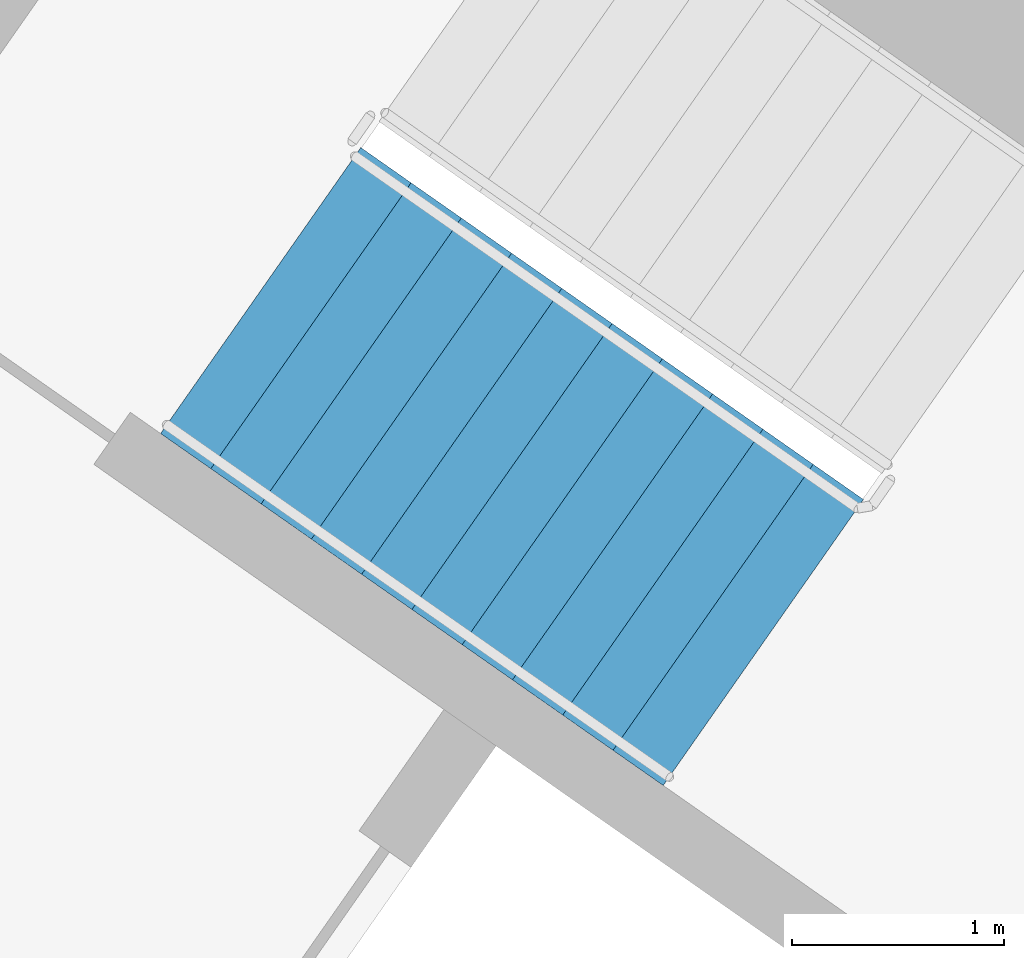
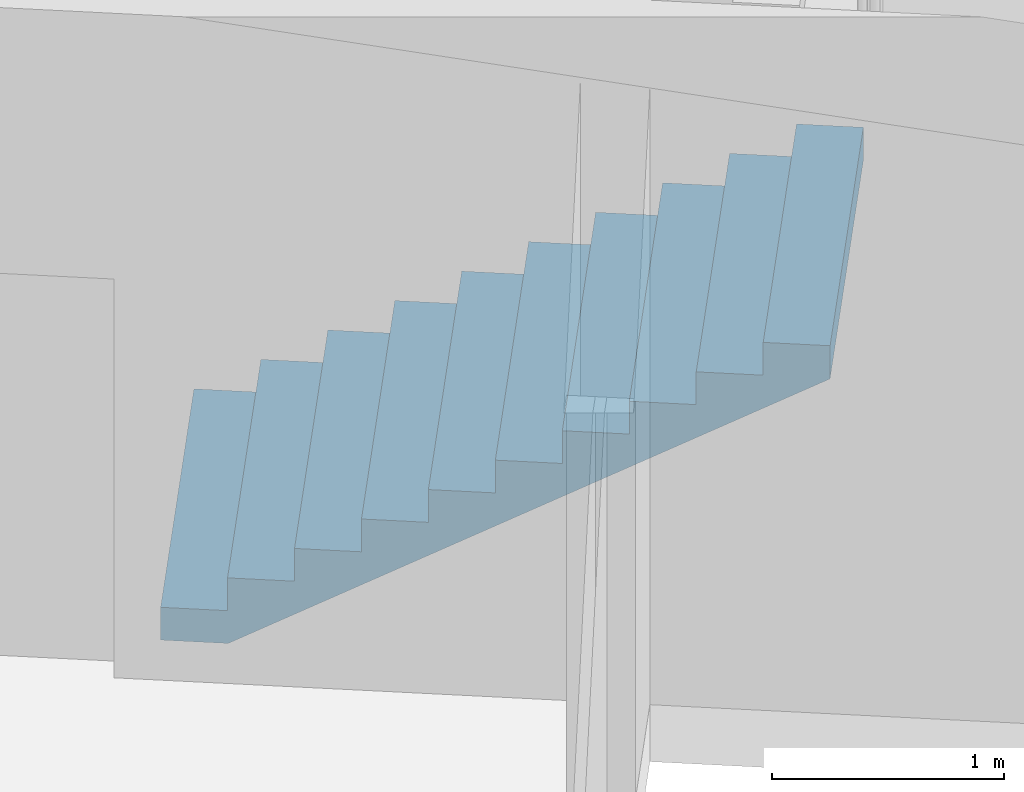
# One storey, part 12 of 30: 1 stair flight, 1 element without a shape of its own.
"""IFC4 building model written with IfcOpenShell, lengths in metres."""

from ifc_helpers import new_model, si_unit, direction, frame, origin, place, context, subcontext, project, spatial, faceted_brep, material, type_object, element, aggregate, save


model = new_model("IFC4")

# Units and contexts
model_context = context("Model", 3, precision=1e-05, world=origin(), true_north=direction((0.0, 1.0)))
body_context = subcontext(model_context, "Body", "Model", "MODEL_VIEW")
ifc_project = project(units=[si_unit("LENGTHUNIT", "METRE"), si_unit("AREAUNIT", "SQUARE_METRE"), si_unit("VOLUMEUNIT", "CUBIC_METRE"), si_unit("PLANEANGLEUNIT", "RADIAN"), si_unit("MASSUNIT", "GRAM", prefix="KILO")], contexts=[model_context])

# Site, building, storey
site_placement = place(None, origin())
site = spatial("IfcSite", under=ifc_project, at=site_placement, CompositionType="ELEMENT")
building_placement = place(site_placement, origin())
building = spatial("IfcBuilding", under=site, at=building_placement, Name="Qamariyya Broadcast Tower", CompositionType="ELEMENT")
storey_placement = place(building_placement, frame((0.0, 0.0, 98.699951171875)))
storey = spatial("IfcBuildingStorey", under=building, at=storey_placement, Name="L21", CompositionType="ELEMENT", Elevation=98.699951171875)

# Stair, stair flight
ifc_material = material(Name="Concrete C50/60", Category="concrete")
stair_type = type_object("IfcStairType", Name="Exit stair 22 risers of 173 mm", PredefinedType="HALF_TURN_STAIR", material=ifc_material)
stair_placement = place(storey_placement, origin())
stair = element("IfcStair", 1, at=stair_placement, inside=storey, type_object=stair_type, Name="L21 Stair W2", PredefinedType="HALF_TURN_STAIR")
stair_flight_type = type_object("IfcStairFlightType", Name="Exit stair flight 11 risers of 173 mm", PredefinedType="STRAIGHT", material=ifc_material)
stair_flight_placement = place(storey_placement, frame((-41.59130859375, -49.15966796875, 0.0), z_axis=(0.0, 0.0, 1.0), x_axis=(0.819152044289, -0.573576436351, 0.0)))
stair_flight = element("IfcStairFlight", 2, at=stair_flight_placement, type_object=stair_flight_type, Name="ST-W2 flight 1", NumberOfRisers=11, NumberOfTreads=10, PredefinedType="STRAIGHT", RiserHeight=0.172727273, TreadLength=0.29, context=body_context, shape_type="Brep", body=[
    faceted_brep([(0.0, 0.824951171875, 0.0), (0.0, 0.824951171875, 0.172607421875), (0.2900390625, 0.824951171875, 0.172607421875), (0.2900390625, 0.824951171875, 0.345458984375), (0.580078125, 0.824951171875, 0.345458984375), (0.580078125, 0.824951171875, 0.51806640625), (0.8701171875, 0.824951171875, 0.51806640625), (0.8701171875, 0.824951171875, 0.69091796875), (1.159912109375, 0.824951171875, 0.69091796875), (1.159912109375, 0.824951171875, 0.863525390625), (1.449951171875, 0.824951171875, 0.863525390625), (1.449951171875, 0.824951171875, 1.036376953125), (1.739990234375, 0.824951171875, 1.036376953125), (1.739990234375, 0.824951171875, 1.208984375), (2.030029296875, 0.824951171875, 1.208984375), (2.030029296875, 0.824951171875, 1.3818359375), (2.320068359375, 0.824951171875, 1.3818359375), (2.320068359375, 0.824951171875, 1.554443359375), (2.610107421875, 0.824951171875, 1.554443359375), (2.610107421875, 0.824951171875, 1.727294921875), (2.89990234375, 0.824951171875, 1.727294921875), (2.89990234375, 0.824951171875, 1.552734375), (0.29296875, 0.824951171875, 0.0), (0.29296875, -0.824951171875, 0.0), (2.89990234375, -0.824951171875, 1.552734375), (2.89990234375, -0.824951171875, 1.727294921875), (2.610107421875, -0.824951171875, 1.727294921875), (2.610107421875, -0.824951171875, 1.554443359375), (2.320068359375, -0.824951171875, 1.554443359375), (2.320068359375, -0.824951171875, 1.3818359375), (2.030029296875, -0.824951171875, 1.3818359375), (2.030029296875, -0.824951171875, 1.208984375), (1.739990234375, -0.824951171875, 1.208984375), (1.739990234375, -0.824951171875, 1.036376953125), (1.449951171875, -0.824951171875, 1.036376953125), (1.449951171875, -0.824951171875, 0.863525390625), (1.159912109375, -0.824951171875, 0.863525390625), (1.159912109375, -0.824951171875, 0.69091796875), (0.8701171875, -0.824951171875, 0.69091796875), (0.8701171875, -0.824951171875, 0.51806640625), (0.580078125, -0.824951171875, 0.51806640625), (0.580078125, -0.824951171875, 0.345458984375), (0.2900390625, -0.824951171875, 0.345458984375), (0.2900390625, -0.824951171875, 0.172607421875), (0.0, -0.824951171875, 0.172607421875), (0.0, -0.824951171875, 0.0), (0.0, 0.10009765625, 0.0), (0.0, 0.086669921875, 0.0), (0.0, 0.0732421875, 0.0), (0.0, 0.06005859375, 0.0), (0.0, 0.046630859375, 0.0), (0.0, 0.033447265625, 0.0), (0.0, 0.02001953125, 0.0), (0.0, 0.006591796875, 0.0), (0.0, -0.006591796875, 0.0), (0.0, -0.02001953125, 0.0), (0.0, -0.033447265625, 0.0), (0.0, -0.046630859375, 0.0), (0.0, -0.06005859375, 0.0), (0.0, -0.0732421875, 0.0), (0.0, -0.086669921875, 0.0), (0.0, -0.10009765625, 0.0), (0.0, -0.10009765625, 0.172607421875), (0.0, -0.086669921875, 0.172607421875), (0.0, -0.0732421875, 0.172607421875), (0.0, -0.06005859375, 0.172607421875), (0.0, -0.046630859375, 0.172607421875), (0.0, -0.033447265625, 0.172607421875), (0.0, -0.02001953125, 0.172607421875), (0.0, -0.006591796875, 0.172607421875), (0.0, 0.006591796875, 0.172607421875), (0.0, 0.02001953125, 0.172607421875), (0.0, 0.033447265625, 0.172607421875), (0.0, 0.046630859375, 0.172607421875), (0.0, 0.06005859375, 0.172607421875), (0.0, 0.0732421875, 0.172607421875), (0.0, 0.086669921875, 0.172607421875), (0.0, 0.10009765625, 0.172607421875), (0.2900390625, -0.10009765625, 0.172607421875), (0.2900390625, -0.086669921875, 0.172607421875), (0.2900390625, -0.0732421875, 0.172607421875), (0.2900390625, -0.06005859375, 0.172607421875), (0.2900390625, -0.046630859375, 0.172607421875), (0.2900390625, -0.033447265625, 0.172607421875), (0.2900390625, -0.02001953125, 0.172607421875), (0.2900390625, -0.006591796875, 0.172607421875), (0.2900390625, 0.006591796875, 0.172607421875), (0.2900390625, 0.02001953125, 0.172607421875), (0.2900390625, 0.033447265625, 0.172607421875), (0.2900390625, 0.046630859375, 0.172607421875), (0.2900390625, 0.06005859375, 0.172607421875), (0.2900390625, 0.0732421875, 0.172607421875), (0.2900390625, 0.086669921875, 0.172607421875), (0.2900390625, 0.10009765625, 0.172607421875), (0.2900390625, -0.10009765625, 0.345458984375), (0.2900390625, -0.086669921875, 0.345458984375), (0.2900390625, -0.0732421875, 0.345458984375), (0.2900390625, -0.06005859375, 0.345458984375), (0.2900390625, -0.046630859375, 0.345458984375), (0.2900390625, -0.033447265625, 0.345458984375), (0.2900390625, -0.02001953125, 0.345458984375), (0.2900390625, -0.006591796875, 0.345458984375), (0.2900390625, 0.006591796875, 0.345458984375), (0.2900390625, 0.02001953125, 0.345458984375), (0.2900390625, 0.033447265625, 0.345458984375), (0.2900390625, 0.046630859375, 0.345458984375), (0.2900390625, 0.06005859375, 0.345458984375), (0.2900390625, 0.0732421875, 0.345458984375), (0.2900390625, 0.086669921875, 0.345458984375), (0.2900390625, 0.10009765625, 0.345458984375), (0.580078125, -0.10009765625, 0.345458984375), (0.580078125, -0.086669921875, 0.345458984375), (0.580078125, -0.0732421875, 0.345458984375), (0.580078125, -0.06005859375, 0.345458984375), (0.580078125, -0.046630859375, 0.345458984375), (0.580078125, -0.033447265625, 0.345458984375), (0.580078125, -0.02001953125, 0.345458984375), (0.580078125, -0.006591796875, 0.345458984375), (0.580078125, 0.006591796875, 0.345458984375), (0.580078125, 0.02001953125, 0.345458984375), (0.580078125, 0.033447265625, 0.345458984375), (0.580078125, 0.046630859375, 0.345458984375), (0.580078125, 0.06005859375, 0.345458984375), (0.580078125, 0.0732421875, 0.345458984375), (0.580078125, 0.086669921875, 0.345458984375), (0.580078125, 0.10009765625, 0.345458984375), (0.580078125, -0.10009765625, 0.51806640625), (0.580078125, -0.086669921875, 0.51806640625), (0.580078125, -0.0732421875, 0.51806640625), (0.580078125, -0.06005859375, 0.51806640625), (0.580078125, -0.046630859375, 0.51806640625), (0.580078125, -0.033447265625, 0.51806640625), (0.580078125, -0.02001953125, 0.51806640625), (0.580078125, -0.006591796875, 0.51806640625), (0.580078125, 0.006591796875, 0.51806640625), (0.580078125, 0.02001953125, 0.51806640625), (0.580078125, 0.033447265625, 0.51806640625), (0.580078125, 0.046630859375, 0.51806640625), (0.580078125, 0.06005859375, 0.51806640625), (0.580078125, 0.0732421875, 0.51806640625), (0.580078125, 0.086669921875, 0.51806640625), (0.580078125, 0.10009765625, 0.51806640625), (0.8701171875, -0.10009765625, 0.51806640625), (0.8701171875, -0.086669921875, 0.51806640625), (0.8701171875, -0.0732421875, 0.51806640625), (0.8701171875, -0.06005859375, 0.51806640625), (0.8701171875, -0.046630859375, 0.51806640625), (0.8701171875, -0.033447265625, 0.51806640625), (0.8701171875, -0.02001953125, 0.51806640625), (0.8701171875, -0.006591796875, 0.51806640625), (0.8701171875, 0.006591796875, 0.51806640625), (0.8701171875, 0.02001953125, 0.51806640625), (0.8701171875, 0.033447265625, 0.51806640625), (0.8701171875, 0.046630859375, 0.51806640625), (0.8701171875, 0.06005859375, 0.51806640625), (0.8701171875, 0.0732421875, 0.51806640625), (0.8701171875, 0.086669921875, 0.51806640625), (0.8701171875, 0.10009765625, 0.51806640625), (0.8701171875, -0.10009765625, 0.69091796875), (0.8701171875, -0.086669921875, 0.69091796875), (0.8701171875, -0.0732421875, 0.69091796875), (0.8701171875, -0.06005859375, 0.69091796875), (0.8701171875, -0.046630859375, 0.69091796875), (0.8701171875, -0.033447265625, 0.69091796875), (0.8701171875, -0.02001953125, 0.69091796875), (0.8701171875, -0.006591796875, 0.69091796875), (0.8701171875, 0.006591796875, 0.69091796875), (0.8701171875, 0.02001953125, 0.69091796875), (0.8701171875, 0.033447265625, 0.69091796875), (0.8701171875, 0.046630859375, 0.69091796875), (0.8701171875, 0.06005859375, 0.69091796875), (0.8701171875, 0.0732421875, 0.69091796875), (0.8701171875, 0.086669921875, 0.69091796875), (0.8701171875, 0.10009765625, 0.69091796875), (1.159912109375, -0.10009765625, 0.69091796875), (1.159912109375, -0.086669921875, 0.69091796875), (1.159912109375, -0.0732421875, 0.69091796875), (1.159912109375, -0.06005859375, 0.69091796875), (1.159912109375, -0.046630859375, 0.69091796875), (1.159912109375, -0.033447265625, 0.69091796875), (1.159912109375, -0.02001953125, 0.69091796875), (1.159912109375, -0.006591796875, 0.69091796875), (1.159912109375, 0.006591796875, 0.69091796875), (1.159912109375, 0.02001953125, 0.69091796875), (1.159912109375, 0.033447265625, 0.69091796875), (1.159912109375, 0.046630859375, 0.69091796875), (1.159912109375, 0.06005859375, 0.69091796875), (1.159912109375, 0.0732421875, 0.69091796875), (1.159912109375, 0.086669921875, 0.69091796875), (1.159912109375, 0.10009765625, 0.69091796875), (1.159912109375, -0.10009765625, 0.863525390625), (1.159912109375, -0.086669921875, 0.863525390625), (1.159912109375, -0.0732421875, 0.863525390625), (1.159912109375, -0.06005859375, 0.863525390625), (1.159912109375, -0.046630859375, 0.863525390625), (1.159912109375, -0.033447265625, 0.863525390625), (1.159912109375, -0.02001953125, 0.863525390625), (1.159912109375, -0.006591796875, 0.863525390625), (1.159912109375, 0.006591796875, 0.863525390625), (1.159912109375, 0.02001953125, 0.863525390625), (1.159912109375, 0.033447265625, 0.863525390625), (1.159912109375, 0.046630859375, 0.863525390625), (1.159912109375, 0.06005859375, 0.863525390625), (1.159912109375, 0.0732421875, 0.863525390625), (1.159912109375, 0.086669921875, 0.863525390625), (1.159912109375, 0.10009765625, 0.863525390625), (1.449951171875, -0.10009765625, 0.863525390625), (1.449951171875, -0.086669921875, 0.863525390625), (1.449951171875, -0.0732421875, 0.863525390625), (1.449951171875, -0.06005859375, 0.863525390625), (1.449951171875, -0.046630859375, 0.863525390625), (1.449951171875, -0.033447265625, 0.863525390625), (1.449951171875, -0.02001953125, 0.863525390625), (1.449951171875, -0.006591796875, 0.863525390625), (1.449951171875, 0.006591796875, 0.863525390625), (1.449951171875, 0.02001953125, 0.863525390625), (1.449951171875, 0.033447265625, 0.863525390625), (1.449951171875, 0.046630859375, 0.863525390625), (1.449951171875, 0.06005859375, 0.863525390625), (1.449951171875, 0.0732421875, 0.863525390625), (1.449951171875, 0.086669921875, 0.863525390625), (1.449951171875, 0.10009765625, 0.863525390625), (1.449951171875, -0.10009765625, 1.036376953125), (1.449951171875, -0.086669921875, 1.036376953125), (1.449951171875, -0.0732421875, 1.036376953125), (1.449951171875, -0.06005859375, 1.036376953125), (1.449951171875, -0.046630859375, 1.036376953125), (1.449951171875, -0.033447265625, 1.036376953125), (1.449951171875, -0.02001953125, 1.036376953125), (1.449951171875, -0.006591796875, 1.036376953125), (1.449951171875, 0.006591796875, 1.036376953125), (1.449951171875, 0.02001953125, 1.036376953125), (1.449951171875, 0.033447265625, 1.036376953125), (1.449951171875, 0.046630859375, 1.036376953125), (1.449951171875, 0.06005859375, 1.036376953125), (1.449951171875, 0.0732421875, 1.036376953125), (1.449951171875, 0.086669921875, 1.036376953125), (1.449951171875, 0.10009765625, 1.036376953125), (1.739990234375, -0.10009765625, 1.036376953125), (1.739990234375, -0.086669921875, 1.036376953125), (1.739990234375, -0.0732421875, 1.036376953125), (1.739990234375, -0.06005859375, 1.036376953125), (1.739990234375, -0.046630859375, 1.036376953125), (1.739990234375, -0.033447265625, 1.036376953125), (1.739990234375, -0.02001953125, 1.036376953125), (1.739990234375, -0.006591796875, 1.036376953125), (1.739990234375, 0.006591796875, 1.036376953125), (1.739990234375, 0.02001953125, 1.036376953125), (1.739990234375, 0.033447265625, 1.036376953125), (1.739990234375, 0.046630859375, 1.036376953125), (1.739990234375, 0.06005859375, 1.036376953125), (1.739990234375, 0.0732421875, 1.036376953125), (1.739990234375, 0.086669921875, 1.036376953125), (1.739990234375, 0.10009765625, 1.036376953125), (1.739990234375, -0.10009765625, 1.208984375), (1.739990234375, -0.086669921875, 1.208984375), (1.739990234375, -0.0732421875, 1.208984375), (1.739990234375, -0.06005859375, 1.208984375), (1.739990234375, -0.046630859375, 1.208984375), (1.739990234375, -0.033447265625, 1.208984375), (1.739990234375, -0.02001953125, 1.208984375), (1.739990234375, -0.006591796875, 1.208984375), (1.739990234375, 0.006591796875, 1.208984375), (1.739990234375, 0.02001953125, 1.208984375), (1.739990234375, 0.033447265625, 1.208984375), (1.739990234375, 0.046630859375, 1.208984375), (1.739990234375, 0.06005859375, 1.208984375), (1.739990234375, 0.0732421875, 1.208984375), (1.739990234375, 0.086669921875, 1.208984375), (1.739990234375, 0.10009765625, 1.208984375), (2.030029296875, -0.10009765625, 1.208984375), (2.030029296875, -0.086669921875, 1.208984375), (2.030029296875, -0.0732421875, 1.208984375), (2.030029296875, -0.06005859375, 1.208984375), (2.030029296875, -0.046630859375, 1.208984375), (2.030029296875, -0.033447265625, 1.208984375), (2.030029296875, -0.02001953125, 1.208984375), (2.030029296875, -0.006591796875, 1.208984375), (2.030029296875, 0.006591796875, 1.208984375), (2.030029296875, 0.02001953125, 1.208984375), (2.030029296875, 0.033447265625, 1.208984375), (2.030029296875, 0.046630859375, 1.208984375), (2.030029296875, 0.06005859375, 1.208984375), (2.030029296875, 0.0732421875, 1.208984375), (2.030029296875, 0.086669921875, 1.208984375), (2.030029296875, 0.10009765625, 1.208984375), (2.030029296875, -0.10009765625, 1.3818359375), (2.030029296875, -0.086669921875, 1.3818359375), (2.030029296875, -0.0732421875, 1.3818359375), (2.030029296875, -0.06005859375, 1.3818359375), (2.030029296875, -0.046630859375, 1.3818359375), (2.030029296875, -0.033447265625, 1.3818359375), (2.030029296875, -0.02001953125, 1.3818359375), (2.030029296875, -0.006591796875, 1.3818359375), (2.030029296875, 0.006591796875, 1.3818359375), (2.030029296875, 0.02001953125, 1.3818359375), (2.030029296875, 0.033447265625, 1.3818359375), (2.030029296875, 0.046630859375, 1.3818359375), (2.030029296875, 0.06005859375, 1.3818359375), (2.030029296875, 0.0732421875, 1.3818359375), (2.030029296875, 0.086669921875, 1.3818359375), (2.030029296875, 0.10009765625, 1.3818359375), (2.320068359375, -0.10009765625, 1.3818359375), (2.320068359375, -0.086669921875, 1.3818359375), (2.320068359375, -0.0732421875, 1.3818359375), (2.320068359375, -0.06005859375, 1.3818359375), (2.320068359375, -0.046630859375, 1.3818359375), (2.320068359375, -0.033447265625, 1.3818359375), (2.320068359375, -0.02001953125, 1.3818359375), (2.320068359375, -0.006591796875, 1.3818359375), (2.320068359375, 0.006591796875, 1.3818359375), (2.320068359375, 0.02001953125, 1.3818359375), (2.320068359375, 0.033447265625, 1.3818359375), (2.320068359375, 0.046630859375, 1.3818359375), (2.320068359375, 0.06005859375, 1.3818359375), (2.320068359375, 0.0732421875, 1.3818359375), (2.320068359375, 0.086669921875, 1.3818359375), (2.320068359375, 0.10009765625, 1.3818359375), (2.320068359375, -0.10009765625, 1.554443359375), (2.320068359375, -0.086669921875, 1.554443359375), (2.320068359375, -0.0732421875, 1.554443359375), (2.320068359375, -0.06005859375, 1.554443359375), (2.320068359375, -0.046630859375, 1.554443359375), (2.320068359375, -0.033447265625, 1.554443359375), (2.320068359375, -0.02001953125, 1.554443359375), (2.320068359375, -0.006591796875, 1.554443359375), (2.320068359375, 0.006591796875, 1.554443359375), (2.320068359375, 0.02001953125, 1.554443359375), (2.320068359375, 0.033447265625, 1.554443359375), (2.320068359375, 0.046630859375, 1.554443359375), (2.320068359375, 0.06005859375, 1.554443359375), (2.320068359375, 0.0732421875, 1.554443359375), (2.320068359375, 0.086669921875, 1.554443359375), (2.320068359375, 0.10009765625, 1.554443359375), (2.610107421875, -0.10009765625, 1.554443359375), (2.610107421875, -0.086669921875, 1.554443359375), (2.610107421875, -0.0732421875, 1.554443359375), (2.610107421875, -0.06005859375, 1.554443359375), (2.610107421875, -0.046630859375, 1.554443359375), (2.610107421875, -0.033447265625, 1.554443359375), (2.610107421875, -0.02001953125, 1.554443359375), (2.610107421875, -0.006591796875, 1.554443359375), (2.610107421875, 0.006591796875, 1.554443359375), (2.610107421875, 0.02001953125, 1.554443359375), (2.610107421875, 0.033447265625, 1.554443359375), (2.610107421875, 0.046630859375, 1.554443359375), (2.610107421875, 0.06005859375, 1.554443359375), (2.610107421875, 0.0732421875, 1.554443359375), (2.610107421875, 0.086669921875, 1.554443359375), (2.610107421875, 0.10009765625, 1.554443359375), (2.610107421875, -0.10009765625, 1.727294921875), (2.610107421875, -0.086669921875, 1.727294921875), (2.610107421875, -0.0732421875, 1.727294921875), (2.610107421875, -0.06005859375, 1.727294921875), (2.610107421875, -0.046630859375, 1.727294921875), (2.610107421875, -0.033447265625, 1.727294921875), (2.610107421875, -0.02001953125, 1.727294921875), (2.610107421875, -0.006591796875, 1.727294921875), (2.610107421875, 0.006591796875, 1.727294921875), (2.610107421875, 0.02001953125, 1.727294921875), (2.610107421875, 0.033447265625, 1.727294921875), (2.610107421875, 0.046630859375, 1.727294921875), (2.610107421875, 0.06005859375, 1.727294921875), (2.610107421875, 0.0732421875, 1.727294921875), (2.610107421875, 0.086669921875, 1.727294921875), (2.610107421875, 0.10009765625, 1.727294921875), (2.89990234375, -0.10009765625, 1.727294921875), (2.89990234375, -0.086669921875, 1.727294921875), (2.89990234375, -0.0732421875, 1.727294921875), (2.89990234375, -0.06005859375, 1.727294921875), (2.89990234375, -0.046630859375, 1.727294921875), (2.89990234375, -0.033447265625, 1.727294921875), (2.89990234375, -0.02001953125, 1.727294921875), (2.89990234375, -0.006591796875, 1.727294921875), (2.89990234375, 0.006591796875, 1.727294921875), (2.89990234375, 0.02001953125, 1.727294921875), (2.89990234375, 0.033447265625, 1.727294921875), (2.89990234375, 0.046630859375, 1.727294921875), (2.89990234375, 0.06005859375, 1.727294921875), (2.89990234375, 0.0732421875, 1.727294921875), (2.89990234375, 0.086669921875, 1.727294921875), (2.89990234375, 0.10009765625, 1.727294921875), (2.89990234375, -0.10009765625, 1.552734375), (2.89990234375, -0.086669921875, 1.552734375), (2.89990234375, -0.0732421875, 1.552734375), (2.89990234375, -0.06005859375, 1.552734375), (2.89990234375, -0.046630859375, 1.552734375), (2.89990234375, -0.033447265625, 1.552734375), (2.89990234375, -0.02001953125, 1.552734375), (2.89990234375, -0.006591796875, 1.552734375), (2.89990234375, 0.006591796875, 1.552734375), (2.89990234375, 0.02001953125, 1.552734375), (2.89990234375, 0.033447265625, 1.552734375), (2.89990234375, 0.046630859375, 1.552734375), (2.89990234375, 0.06005859375, 1.552734375), (2.89990234375, 0.0732421875, 1.552734375), (2.89990234375, 0.086669921875, 1.552734375), (2.89990234375, 0.10009765625, 1.552734375), (0.29296875, -0.10009765625, 0.0), (0.29296875, -0.086669921875, 0.0), (0.29296875, -0.0732421875, 0.0), (0.29296875, -0.06005859375, 0.0), (0.29296875, -0.046630859375, 0.0), (0.29296875, -0.033447265625, 0.0), (0.29296875, -0.02001953125, 0.0), (0.29296875, -0.006591796875, 0.0), (0.29296875, 0.006591796875, 0.0), (0.29296875, 0.02001953125, 0.0), (0.29296875, 0.033447265625, 0.0), (0.29296875, 0.046630859375, 0.0), (0.29296875, 0.06005859375, 0.0), (0.29296875, 0.0732421875, 0.0), (0.29296875, 0.086669921875, 0.0), (0.29296875, 0.10009765625, 0.0)], [[[0, 1, 2, 3, 4, 5, 6, 7, 8, 9, 10, 11, 12, 13, 14, 15, 16, 17, 18, 19, 20, 21, 22]], [[23, 24, 25, 26, 27, 28, 29, 30, 31, 32, 33, 34, 35, 36, 37, 38, 39, 40, 41, 42, 43, 44, 45]], [[0, 46, 47, 48, 49, 50, 51, 52, 53, 54, 55, 56, 57, 58, 59, 60, 61, 45, 44, 62, 63, 64, 65, 66, 67, 68, 69, 70, 71, 72, 73, 74, 75, 76, 77, 1]], [[1, 77, 76, 75, 74, 73, 72, 71, 70, 69, 68, 67, 66, 65, 64, 63, 62, 44, 43, 78, 79, 80, 81, 82, 83, 84, 85, 86, 87, 88, 89, 90, 91, 92, 93, 2]], [[2, 93, 92, 91, 90, 89, 88, 87, 86, 85, 84, 83, 82, 81, 80, 79, 78, 43, 42, 94, 95, 96, 97, 98, 99, 100, 101, 102, 103, 104, 105, 106, 107, 108, 109, 3]], [[3, 109, 108, 107, 106, 105, 104, 103, 102, 101, 100, 99, 98, 97, 96, 95, 94, 42, 41, 110, 111, 112, 113, 114, 115, 116, 117, 118, 119, 120, 121, 122, 123, 124, 125, 4]], [[4, 125, 124, 123, 122, 121, 120, 119, 118, 117, 116, 115, 114, 113, 112, 111, 110, 41, 40, 126, 127, 128, 129, 130, 131, 132, 133, 134, 135, 136, 137, 138, 139, 140, 141, 5]], [[5, 141, 140, 139, 138, 137, 136, 135, 134, 133, 132, 131, 130, 129, 128, 127, 126, 40, 39, 142, 143, 144, 145, 146, 147, 148, 149, 150, 151, 152, 153, 154, 155, 156, 157, 6]], [[6, 157, 156, 155, 154, 153, 152, 151, 150, 149, 148, 147, 146, 145, 144, 143, 142, 39, 38, 158, 159, 160, 161, 162, 163, 164, 165, 166, 167, 168, 169, 170, 171, 172, 173, 7]], [[7, 173, 172, 171, 170, 169, 168, 167, 166, 165, 164, 163, 162, 161, 160, 159, 158, 38, 37, 174, 175, 176, 177, 178, 179, 180, 181, 182, 183, 184, 185, 186, 187, 188, 189, 8]], [[8, 189, 188, 187, 186, 185, 184, 183, 182, 181, 180, 179, 178, 177, 176, 175, 174, 37, 36, 190, 191, 192, 193, 194, 195, 196, 197, 198, 199, 200, 201, 202, 203, 204, 205, 9]], [[9, 205, 204, 203, 202, 201, 200, 199, 198, 197, 196, 195, 194, 193, 192, 191, 190, 36, 35, 206, 207, 208, 209, 210, 211, 212, 213, 214, 215, 216, 217, 218, 219, 220, 221, 10]], [[10, 221, 220, 219, 218, 217, 216, 215, 214, 213, 212, 211, 210, 209, 208, 207, 206, 35, 34, 222, 223, 224, 225, 226, 227, 228, 229, 230, 231, 232, 233, 234, 235, 236, 237, 11]], [[11, 237, 236, 235, 234, 233, 232, 231, 230, 229, 228, 227, 226, 225, 224, 223, 222, 34, 33, 238, 239, 240, 241, 242, 243, 244, 245, 246, 247, 248, 249, 250, 251, 252, 253, 12]], [[12, 253, 252, 251, 250, 249, 248, 247, 246, 245, 244, 243, 242, 241, 240, 239, 238, 33, 32, 254, 255, 256, 257, 258, 259, 260, 261, 262, 263, 264, 265, 266, 267, 268, 269, 13]], [[13, 269, 268, 267, 266, 265, 264, 263, 262, 261, 260, 259, 258, 257, 256, 255, 254, 32, 31, 270, 271, 272, 273, 274, 275, 276, 277, 278, 279, 280, 281, 282, 283, 284, 285, 14]], [[14, 285, 284, 283, 282, 281, 280, 279, 278, 277, 276, 275, 274, 273, 272, 271, 270, 31, 30, 286, 287, 288, 289, 290, 291, 292, 293, 294, 295, 296, 297, 298, 299, 300, 301, 15]], [[15, 301, 300, 299, 298, 297, 296, 295, 294, 293, 292, 291, 290, 289, 288, 287, 286, 30, 29, 302, 303, 304, 305, 306, 307, 308, 309, 310, 311, 312, 313, 314, 315, 316, 317, 16]], [[16, 317, 316, 315, 314, 313, 312, 311, 310, 309, 308, 307, 306, 305, 304, 303, 302, 29, 28, 318, 319, 320, 321, 322, 323, 324, 325, 326, 327, 328, 329, 330, 331, 332, 333, 17]], [[17, 333, 332, 331, 330, 329, 328, 327, 326, 325, 324, 323, 322, 321, 320, 319, 318, 28, 27, 334, 335, 336, 337, 338, 339, 340, 341, 342, 343, 344, 345, 346, 347, 348, 349, 18]], [[18, 349, 348, 347, 346, 345, 344, 343, 342, 341, 340, 339, 338, 337, 336, 335, 334, 27, 26, 350, 351, 352, 353, 354, 355, 356, 357, 358, 359, 360, 361, 362, 363, 364, 365, 19]], [[19, 365, 364, 363, 362, 361, 360, 359, 358, 357, 356, 355, 354, 353, 352, 351, 350, 26, 25, 366, 367, 368, 369, 370, 371, 372, 373, 374, 375, 376, 377, 378, 379, 380, 381, 20]], [[20, 381, 380, 379, 378, 377, 376, 375, 374, 373, 372, 371, 370, 369, 368, 367, 366, 25, 24, 382, 383, 384, 385, 386, 387, 388, 389, 390, 391, 392, 393, 394, 395, 396, 397, 21]], [[21, 397, 396, 395, 394, 393, 392, 391, 390, 389, 388, 387, 386, 385, 384, 383, 382, 24, 23, 398, 399, 400, 401, 402, 403, 404, 405, 406, 407, 408, 409, 410, 411, 412, 413, 22]], [[22, 413, 412, 411, 410, 409, 408, 407, 406, 405, 404, 403, 402, 401, 400, 399, 398, 23, 45, 61, 60, 59, 58, 57, 56, 55, 54, 53, 52, 51, 50, 49, 48, 47, 46, 0]]]),
])
aggregate(stair, [stair_flight])

save(model, "model.ifc")
